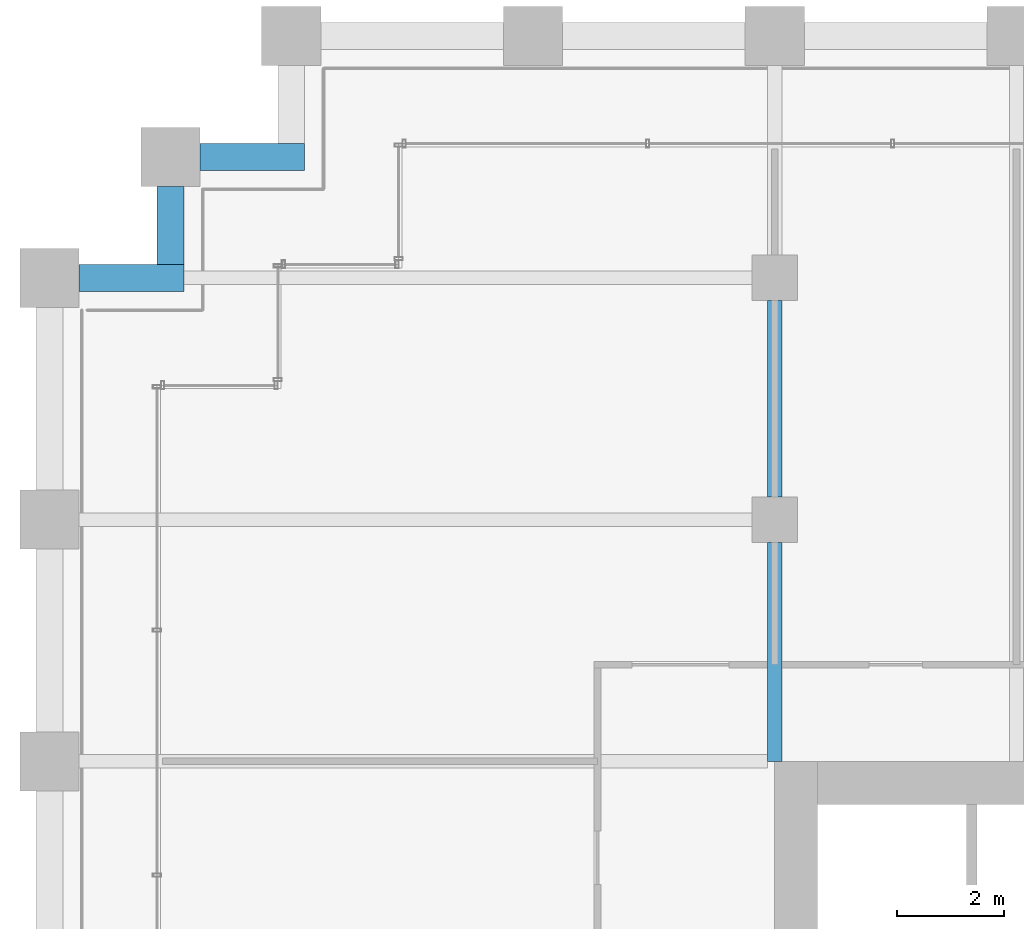
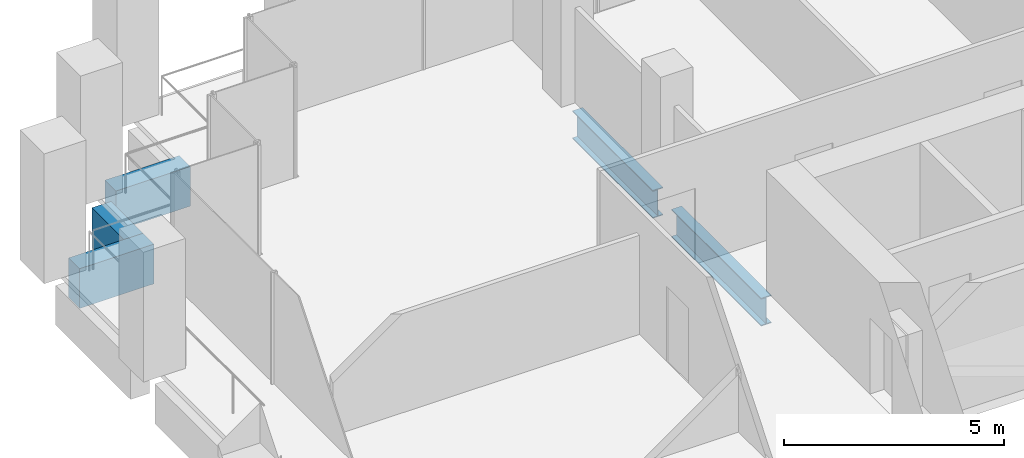
# One storey, part 25 of 56: 5 beams.
"""IFC4 building model written with IfcOpenShell, lengths in metres."""

from ifc_helpers import new_model, si_unit, direction, frame, origin, origin_2d, place, context, subcontext, project, spatial, rectangle, i_section, extrude, material, material_profile, profile_set, type_object, element, save


model = new_model("IFC4")

# Units and contexts
model_context = context("Model", 3, precision=1e-05, world=origin(), true_north=direction((0.0, 1.0)))
body_context = subcontext(model_context, "Body", "Model", "MODEL_VIEW")
ifc_project = project(units=[si_unit("LENGTHUNIT", "METRE"), si_unit("AREAUNIT", "SQUARE_METRE"), si_unit("VOLUMEUNIT", "CUBIC_METRE"), si_unit("PLANEANGLEUNIT", "RADIAN"), si_unit("MASSUNIT", "GRAM", prefix="KILO")], contexts=[model_context])

# Site, building, storey
site_placement = place(None, origin())
site = spatial("IfcSite", under=ifc_project, at=site_placement, CompositionType="ELEMENT")
building_placement = place(site_placement, origin())
building = spatial("IfcBuilding", under=site, at=building_placement, Name="Altepetl Exchange Towers", CompositionType="ELEMENT")
storey_placement = place(building_placement, frame((0.0, 0.0, 76.199951171875)))
storey = spatial("IfcBuildingStorey", under=building, at=storey_placement, Name="L18", CompositionType="ELEMENT", Elevation=76.199951171875)

# Beams
ifc_material_1 = material(Name="Steel S355", Category="steel")
ifc_material_profile_1 = material_profile(ifc_material_1, i_section(OverallWidth=0.26806640625, OverallDepth=0.77392578125, WebThickness=0.015380859375, FlangeThickness=0.025390625, at=origin_2d()), Name="W30X132")
ifc_profile_set_1 = profile_set([ifc_material_profile_1], Name="Steel S355")
beam_type_1 = type_object("IfcBeamType", Name="Girder W30X132", PredefinedType="BEAM", material=ifc_profile_set_1)
beam_1_placement = place(storey_placement, frame((40.5, 67.074951171875, -0.536865234375), z_axis=(0.0, -1.0, 0.0), x_axis=(1.0, 0.0, 0.0)))
element("IfcBeam", 1, at=beam_1_placement, inside=storey, type_object=beam_type_1, Name="gd:A:L18:004", PredefinedType="BEAM", context=body_context, shape_type="SweptSolid", body=[
    extrude(i_section(OverallWidth=0.26806640625, OverallDepth=0.77392578125, WebThickness=0.015380859375, FlangeThickness=0.025390625, at=origin_2d()), origin(), (0.0, 0.0, 1.0), 3.64990234375),
])
beam_2_placement = place(storey_placement, frame((40.5, 62.574951171875, -0.536865234375), z_axis=(0.0, -1.0, 0.0), x_axis=(1.0, 0.0, 0.0)))
element("IfcBeam", 2, at=beam_2_placement, inside=storey, type_object=beam_type_1, Name="gd:A:L18:005", PredefinedType="BEAM", context=body_context, shape_type="SweptSolid", body=[
    extrude(i_section(OverallWidth=0.26806640625, OverallDepth=0.77392578125, WebThickness=0.015380859375, FlangeThickness=0.025390625, at=origin_2d()), origin(), (0.0, 0.0, 1.0), 4.074951171875),
])
ifc_material_2 = material(Name="Concrete C50/60 precast with tezontle facing", Category="concrete")
ifc_material_profile_2 = material_profile(ifc_material_2, rectangle(XDim=0.5, YDim=1.10009765625, at=origin_2d()), Name="500 x 1100")
ifc_profile_set_2 = profile_set([ifc_material_profile_2], Name="Concrete C50/60 precast with tezontle facing")
beam_type_2 = type_object("IfcBeamType", Name="Spandrel beam 500x1100 tezontle", PredefinedType="SPANDREL", material=ifc_profile_set_2)
beam_3_placement = place(storey_placement, frame((31.75, 69.75, -0.699951171875), z_axis=(-1.0, 0.0, 0.0), x_axis=(0.0, -1.0, 0.0)))
element("IfcBeam", 3, at=beam_3_placement, inside=storey, type_object=beam_type_2, Name="sp:A:L18:033", PredefinedType="SPANDREL", context=body_context, shape_type="SweptSolid", body=[
    extrude(rectangle(XDim=0.5, YDim=1.10009765625, at=origin_2d()), origin(), (0.0, 0.0, 1.0), 1.949951171875),
])
beam_4_placement = place(storey_placement, frame((29.25, 69.199951171875, -0.699951171875), z_axis=(0.0, -1.0, 0.0), x_axis=(1.0, 0.0, 0.0)))
element("IfcBeam", 4, at=beam_4_placement, inside=storey, type_object=beam_type_2, Name="sp:A:L18:034", PredefinedType="SPANDREL", context=body_context, shape_type="SweptSolid", body=[
    extrude(rectangle(XDim=0.5, YDim=1.10009765625, at=origin_2d()), origin(), (0.0, 0.0, 1.0), 1.449951171875),
])
beam_5_placement = place(storey_placement, frame((29.5, 67.5, -0.699951171875), z_axis=(-1.0, 0.0, 0.0), x_axis=(0.0, -1.0, 0.0)))
element("IfcBeam", 5, at=beam_5_placement, inside=storey, type_object=beam_type_2, Name="sp:A:L18:035", PredefinedType="SPANDREL", context=body_context, shape_type="SweptSolid", body=[
    extrude(rectangle(XDim=0.5, YDim=1.10009765625, at=origin_2d()), origin(), (0.0, 0.0, 1.0), 1.949951171875),
])

save(model, "model.ifc")
